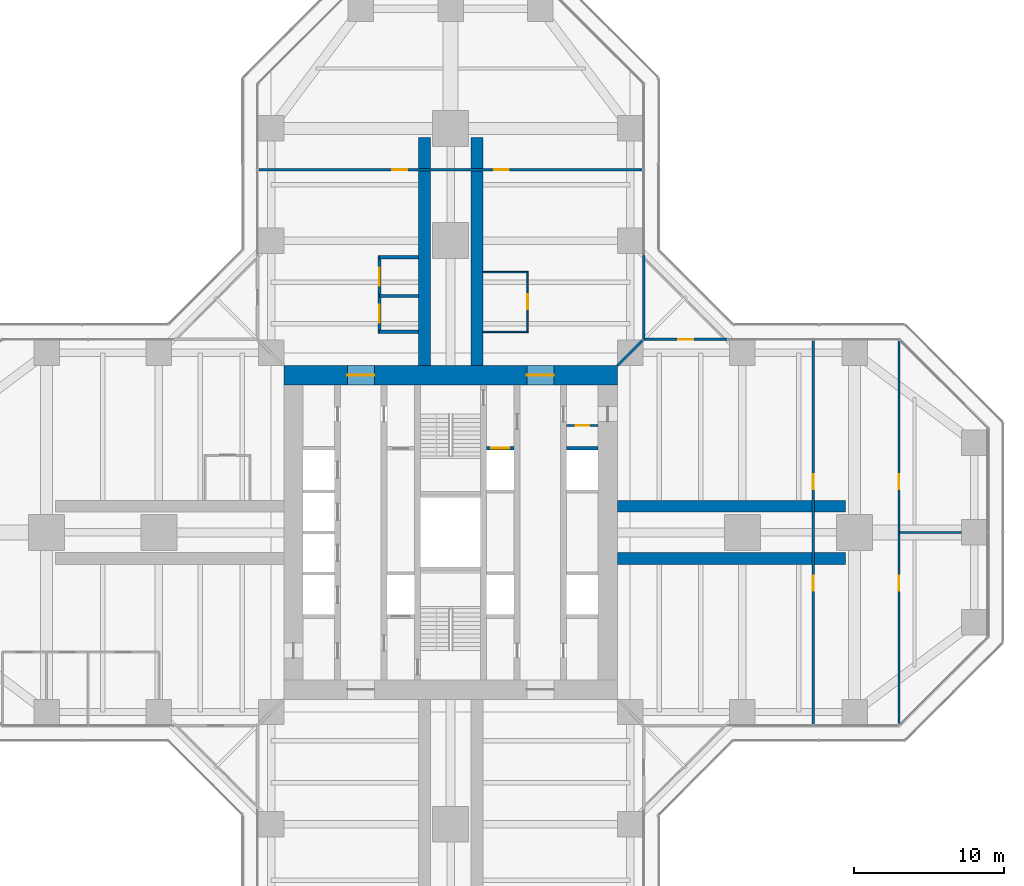
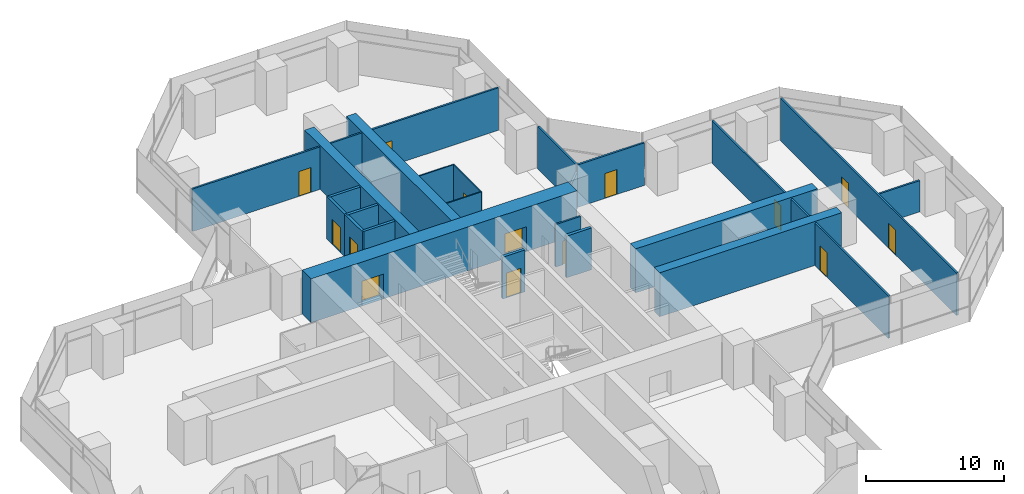
# One storey, part 19 of 22: 23 walls, 14 doors, 14 openings.
"""IFC4 building model written with IfcOpenShell, lengths in metres."""

from ifc_helpers import new_model, si_unit, direction, frame, frame_2d, origin, place, context, subcontext, project, spatial, rectangle, extrude, material, layer, layer_set, type_object, element, fill, save


model = new_model("IFC4")

# Units and contexts
model_context = context("Model", 3, precision=1e-05, world=origin(), true_north=direction((0.0, 1.0)))
body_context = subcontext(model_context, "Body", "Model", "MODEL_VIEW")
ifc_project = project(units=[si_unit("LENGTHUNIT", "METRE"), si_unit("AREAUNIT", "SQUARE_METRE"), si_unit("VOLUMEUNIT", "CUBIC_METRE"), si_unit("PLANEANGLEUNIT", "RADIAN"), si_unit("MASSUNIT", "GRAM", prefix="KILO")], contexts=[model_context])

# Site, building, storey
site_placement = place(None, origin())
site = spatial("IfcSite", under=ifc_project, at=site_placement, CompositionType="ELEMENT")
building_placement = place(site_placement, origin())
building = spatial("IfcBuilding", under=site, at=building_placement, Name="Mizan Broadcast Tower", CompositionType="ELEMENT")
storey_placement = place(building_placement, frame((0.0, 0.0, 70.800048828125)))
storey = spatial("IfcBuildingStorey", under=building, at=storey_placement, Name="L14", CompositionType="ELEMENT", Elevation=70.800048828125)

# Wall, opening, door
ifc_material_1 = material(Name="Concrete blockwork", Category="masonry")
ifc_layer_1 = layer(ifc_material_1, 0.14990234375)
ifc_layer_set_1 = layer_set([ifc_layer_1], Name="Concrete blockwork")
wall_type_1 = type_object("IfcWallType", Name="CORE PARTITION 150", PredefinedType="SOLIDWALL", material=ifc_layer_set_1)
wall_1_placement = place(storey_placement, frame((9.85009765625, 7.14990234375, 0.0), z_axis=(0.0, 0.0, 1.0), x_axis=(-1.0, 0.0, 0.0)))
wall_1 = element("IfcWall", 1, at=wall_1_placement, inside=storey, type_object=wall_type_1, Name="Core partition CORE/XPE", PredefinedType="SOLIDWALL", context=body_context, shape_type="SweptSolid", body=[
    extrude(rectangle(XDim=2.10009765625, YDim=0.14990234375, at=frame_2d((1.050048828125, 0.0))), origin(), (0.0, 0.0, 1.0), 3.77001953125),
])
opening_1_placement = place(wall_1_placement, frame((0.60009765625, 0.0, 0.0)))
opening_1 = element("IfcOpeningElement", 2, at=opening_1_placement, cuts=wall_1, Name="Opening D09F", PredefinedType="OPENING", context=body_context, shape_type="SweptSolid", body=[
    extrude(rectangle(XDim=0.89990234375, YDim=2.10009765625, at=frame_2d((0.449951171875, 1.050048828125))), frame((0.0, 0.0849609375, 0.0), z_axis=(0.0, -1.0, 0.0), x_axis=(1.0, 0.0, 0.0)), (0.0, 0.0, 1.0), 0.169921875),
])
ifc_material_2 = material(Name="Steel door leaf in steel frame", Category="steel")
door_type_1 = type_object("IfcDoorType", Name="CORE ROOM DOOR 900 FD90", OperationType="SINGLE_SWING_LEFT", PredefinedType="DOOR", material=ifc_material_2)
door_1_placement = place(opening_1_placement, origin())
door_1 = element("IfcDoor", 3, at=door_1_placement, inside=storey, type_object=door_type_1, Name="Comms cupboard door", OperationType="SINGLE_SWING_RIGHT", OverallHeight=2.10009765625, OverallWidth=0.89990234375, PredefinedType="DOOR", context=body_context, shape_type="SweptSolid", body=[
    extrude(rectangle(XDim=0.89990234375, YDim=2.10009765625, at=frame_2d((0.449951171875, 1.050048828125))), frame((0.0, 0.02490234375, 0.0), z_axis=(0.0, -1.0, 0.0), x_axis=(1.0, 0.0, 0.0)), (0.0, 0.0, 1.0), 0.050048828125),
])
fill(opening_1, door_1)

# Wall, openings, doors
ifc_material_3 = material(Name="Concrete C70/85", Category="concrete")
ifc_layer_2 = layer(ifc_material_3, 1.300048828125)
ifc_layer_set_2 = layer_set([ifc_layer_2], Name="Concrete C70/85")
wall_type_2 = type_object("IfcWallType", Name="CORE WALL 1300", PredefinedType="SHEAR", material=ifc_layer_set_2)
wall_2_placement = place(storey_placement, frame((-11.14990234375, 10.5, 0.0), z_axis=(0.0, 0.0, 1.0), x_axis=(1.0, 0.0, 0.0)))
wall_2 = element("IfcWall", 4, at=wall_2_placement, inside=storey, type_object=wall_type_2, Name="Core wall N L14", PredefinedType="SHEAR", context=body_context, shape_type="SweptSolid", body=[
    extrude(rectangle(XDim=22.2998046875, YDim=1.300048828125, at=frame_2d((11.14990234375, 0.0))), origin(), (0.0, 0.0, 1.0), 3.89990234375),
])
opening_2_placement = place(wall_2_placement, frame((4.25, 0.0, 0.0)))
opening_2 = element("IfcOpeningElement", 5, at=opening_2_placement, cuts=wall_2, Name="Opening D18F", PredefinedType="OPENING", context=body_context, shape_type="SweptSolid", body=[
    extrude(rectangle(XDim=1.800048828125, YDim=2.199951171875, at=frame_2d((0.89990234375, 1.10009765625))), frame((0.0, 0.659912109375, 0.0), z_axis=(0.0, -1.0, 0.0), x_axis=(1.0, 0.0, 0.0)), (0.0, 0.0, 1.0), 1.320068359375),
])
opening_3_placement = place(wall_2_placement, frame((16.25, 0.0, 0.0)))
opening_3 = element("IfcOpeningElement", 6, at=opening_3_placement, cuts=wall_2, Name="Opening D18F", PredefinedType="OPENING", context=body_context, shape_type="SweptSolid", body=[
    extrude(rectangle(XDim=1.800048828125, YDim=2.199951171875, at=frame_2d((0.89990234375, 1.10009765625))), frame((0.0, 0.659912109375, 0.0), z_axis=(0.0, -1.0, 0.0), x_axis=(1.0, 0.0, 0.0)), (0.0, 0.0, 1.0), 1.320068359375),
])
ifc_material_4 = material(Name="Steel door leaf in steel frame", Category="steel")
door_type_2 = type_object("IfcDoorType", Name="LOBBY DOUBLE DOOR 1800 FD90", OperationType="DOUBLE_DOOR_DOUBLE_SWING", PredefinedType="DOOR", material=ifc_material_4)
door_2_placement = place(opening_2_placement, origin())
door_2 = element("IfcDoor", 7, at=door_2_placement, inside=storey, type_object=door_type_2, Name="West lift lobby north door", OperationType="DOUBLE_DOOR_DOUBLE_SWING", OverallHeight=2.199951171875, OverallWidth=1.800048828125, PredefinedType="DOOR", context=body_context, shape_type="SweptSolid", body=[
    extrude(rectangle(XDim=1.800048828125, YDim=2.199951171875, at=frame_2d((0.89990234375, 1.10009765625))), frame((0.0, 0.02490234375, 0.0), z_axis=(0.0, -1.0, 0.0), x_axis=(1.0, 0.0, 0.0)), (0.0, 0.0, 1.0), 0.050048828125),
])
fill(opening_2, door_2)
door_3_placement = place(opening_3_placement, origin())
door_3 = element("IfcDoor", 8, at=door_3_placement, inside=storey, type_object=door_type_2, Name="East lift lobby north door", OperationType="DOUBLE_DOOR_DOUBLE_SWING", OverallHeight=2.199951171875, OverallWidth=1.800048828125, PredefinedType="DOOR", context=body_context, shape_type="SweptSolid", body=[
    extrude(rectangle(XDim=1.800048828125, YDim=2.199951171875, at=frame_2d((0.89990234375, 1.10009765625))), frame((0.0, 0.02490234375, 0.0), z_axis=(0.0, -1.0, 0.0), x_axis=(1.0, 0.0, 0.0)), (0.0, 0.0, 1.0), 0.050048828125),
])
fill(opening_3, door_3)

# Wall, opening, door
ifc_material_5 = material(Name="Aluminium framed glazed screen", Category="aluminium")
ifc_layer_3 = layer(ifc_material_5, 0.159912109375)
ifc_layer_set_3 = layer_set([ifc_layer_3], Name="Aluminium framed glazed screen")
wall_type_3 = type_object("IfcWallType", Name="GLAZED SCREEN WALL 160", PredefinedType="SOLIDWALL", material=ifc_layer_set_3)
wall_3_placement = place(storey_placement, frame((18.5, 12.89990234375, 0.0), z_axis=(0.0, 0.0, 1.0), x_axis=(-1.0, 0.0, 0.0)))
wall_3 = element("IfcWall", 9, at=wall_3_placement, inside=storey, type_object=wall_type_3, Name="Winter garden screen L14 E", PredefinedType="SOLIDWALL", context=body_context, shape_type="SweptSolid", body=[
    extrude(rectangle(XDim=5.60009765625, YDim=0.159912109375, at=frame_2d((2.800048828125, 0.0))), origin(), (0.0, 0.0, 1.0), 3.77001953125),
])
opening_4_placement = place(wall_3_placement, frame((2.300048828125, 0.0, 0.0)))
opening_4 = element("IfcOpeningElement", 10, at=opening_4_placement, cuts=wall_3, Name="Opening WGD", PredefinedType="OPENING", context=body_context, shape_type="SweptSolid", body=[
    extrude(rectangle(XDim=1.0, YDim=2.199951171875, at=frame_2d((0.5, 1.10009765625))), frame((0.0, 0.08984375, 0.0), z_axis=(0.0, -1.0, 0.0), x_axis=(1.0, 0.0, 0.0)), (0.0, 0.0, 1.0), 0.179931640625),
])
ifc_material_6 = material(Name="Aluminium framed glazed door", Category="aluminium")
door_type_3 = type_object("IfcDoorType", Name="WINTER GARDEN DOOR 1000 GLAZED", OperationType="SINGLE_SWING_LEFT", PredefinedType="DOOR", material=ifc_material_6)
door_4_placement = place(opening_4_placement, origin())
door_4 = element("IfcDoor", 11, at=door_4_placement, inside=storey, type_object=door_type_3, Name="Winter garden door L14 E", OperationType="SINGLE_SWING_RIGHT", OverallHeight=2.199951171875, OverallWidth=1.0, PredefinedType="DOOR", context=body_context, shape_type="SweptSolid", body=[
    extrude(rectangle(XDim=1.0, YDim=2.199951171875, at=frame_2d((0.5, 1.10009765625))), frame((0.0, 0.02490234375, 0.0), z_axis=(0.0, -1.0, 0.0), x_axis=(1.0, 0.0, 0.0)), (0.0, 0.0, 1.0), 0.050048828125),
])
fill(opening_4, door_4)

# Wall
wall_4_placement = place(storey_placement, frame((12.89990234375, 12.89990234375, 0.0), z_axis=(0.0, 0.0, 1.0), x_axis=(0.0, 1.0, 0.0)))
element("IfcWall", 12, at=wall_4_placement, inside=storey, type_object=wall_type_3, Name="Winter garden screen L14 N", PredefinedType="SOLIDWALL", context=body_context, shape_type="SweptSolid", body=[
    extrude(rectangle(XDim=5.60009765625, YDim=0.159912109375, at=frame_2d((2.800048828125, 0.0))), origin(), (0.0, 0.0, 1.0), 3.77001953125),
])

# Wall, opening, door
ifc_material_7 = material(Name="Concrete blockwork", Category="masonry")
ifc_layer_4 = layer(ifc_material_7, 0.25)
ifc_layer_set_4 = layer_set([ifc_layer_4], Name="Concrete blockwork")
wall_type_4 = type_object("IfcWallType", Name="LOBBY ENCLOSURE WALL 250", PredefinedType="SOLIDWALL", material=ifc_layer_set_4)
wall_5_placement = place(storey_placement, frame((2.39990234375, 5.625, 0.0), z_axis=(0.0, 0.0, 1.0), x_axis=(1.0, 0.0, 0.0)))
wall_5 = element("IfcWall", 13, at=wall_5_placement, inside=storey, type_object=wall_type_4, Name="Lobby enclosure wall CORE/BE2N", PredefinedType="SOLIDWALL", context=body_context, shape_type="SweptSolid", body=[
    extrude(rectangle(XDim=1.85009765625, YDim=0.25, at=frame_2d((0.925048828125, 0.0))), origin(), (0.0, 0.0, 1.0), 3.699951171875),
])
opening_5_placement = place(wall_5_placement, frame((0.324951171875, 0.0, 0.0)))
opening_5 = element("IfcOpeningElement", 14, at=opening_5_placement, cuts=wall_5, Name="Opening LDF", PredefinedType="OPENING", context=body_context, shape_type="SweptSolid", body=[
    extrude(rectangle(XDim=1.199951171875, YDim=2.199951171875, at=frame_2d((0.60009765625, 1.10009765625))), frame((0.0, 0.135009765625, 0.0), z_axis=(0.0, -1.0, 0.0), x_axis=(1.0, 0.0, 0.0)), (0.0, 0.0, 1.0), 0.27001953125),
])
ifc_material_8 = material(Name="Steel door leaf in steel frame", Category="steel")
door_type_4 = type_object("IfcDoorType", Name="FIREFIGHTING LIFT LANDING DOOR 1200", OperationType="SLIDING_TO_LEFT", PredefinedType="DOOR", material=ifc_material_8)
door_5_placement = place(opening_5_placement, origin())
door_5 = element("IfcDoor", 15, at=door_5_placement, inside=storey, type_object=door_type_4, Name="Landing door FF2", OperationType="SLIDING_TO_LEFT", OverallHeight=2.199951171875, OverallWidth=1.199951171875, PredefinedType="DOOR", context=body_context, shape_type="SweptSolid", body=[
    extrude(rectangle(XDim=1.199951171875, YDim=2.199951171875, at=frame_2d((0.60009765625, 1.10009765625))), frame((0.0, 0.02490234375, 0.0), z_axis=(0.0, -1.0, 0.0), x_axis=(1.0, 0.0, 0.0)), (0.0, 0.0, 1.0), 0.050048828125),
])
fill(opening_5, door_5)

# Wall
wall_6_placement = place(storey_placement, frame((7.75, 5.625, 0.0), z_axis=(0.0, 0.0, 1.0), x_axis=(1.0, 0.0, 0.0)))
element("IfcWall", 16, at=wall_6_placement, inside=storey, type_object=wall_type_4, Name="Lobby enclosure wall CORE/BE1N", PredefinedType="SOLIDWALL", context=body_context, shape_type="SweptSolid", body=[
    extrude(rectangle(XDim=2.10009765625, YDim=0.25, at=frame_2d((1.050048828125, 0.0))), origin(), (0.0, 0.0, 1.0), 3.699951171875),
])

# Wall, openings, doors
ifc_material_9 = material(Name="Gypsum board on steel studs", Category="steel")
ifc_layer_5 = layer(ifc_material_9, 0.14990234375)
ifc_layer_set_5 = layer_set([ifc_layer_5], Name="Gypsum board on steel studs")
wall_type_5 = type_object("IfcWallType", Name="PARTITION 150", PredefinedType="PARTITIONING", material=ifc_layer_set_5)
wall_7_placement = place(storey_placement, frame((24.22900390625, -12.820068359375, 0.0), z_axis=(0.0, 0.0, 1.0), x_axis=(0.0, 1.0, 0.0)))
wall_7 = element("IfcWall", 17, at=wall_7_placement, inside=storey, type_object=wall_type_5, Name="Partition PT/EX1", PredefinedType="PARTITIONING", context=body_context, shape_type="SweptSolid", body=[
    extrude(rectangle(XDim=25.64013671875, YDim=0.14990234375, at=frame_2d((12.820068359375, 0.0))), origin(), (0.0, 0.0, 1.0), 3.77001953125),
])
opening_6_placement = place(wall_7_placement, frame((15.719970703125, 0.0, 0.0)))
opening_6 = element("IfcOpeningElement", 18, at=opening_6_placement, cuts=wall_7, Name="Opening D10", PredefinedType="OPENING", context=body_context, shape_type="SweptSolid", body=[
    extrude(rectangle(XDim=1.0, YDim=2.199951171875, at=frame_2d((0.5, 1.10009765625))), frame((0.0, 0.0849609375, 0.0), z_axis=(0.0, -1.0, 0.0), x_axis=(1.0, 0.0, 0.0)), (0.0, 0.0, 1.0), 0.169921875),
])
opening_7_placement = place(wall_7_placement, frame((8.919921875, 0.0, 0.0)))
opening_7 = element("IfcOpeningElement", 19, at=opening_7_placement, cuts=wall_7, Name="Opening D10", PredefinedType="OPENING", context=body_context, shape_type="SweptSolid", body=[
    extrude(rectangle(XDim=1.0, YDim=2.199951171875, at=frame_2d((0.5, 1.10009765625))), frame((0.0, 0.0849609375, 0.0), z_axis=(0.0, -1.0, 0.0), x_axis=(1.0, 0.0, 0.0)), (0.0, 0.0, 1.0), 0.169921875),
])
ifc_material_10 = material(Name="Timber door leaf in aluminium frame", Category="wood")
door_type_5 = type_object("IfcDoorType", Name="ROOM DOOR 1000", OperationType="SINGLE_SWING_LEFT", PredefinedType="DOOR", material=ifc_material_10)
door_6_placement = place(opening_6_placement, origin())
door_6 = element("IfcDoor", 20, at=door_6_placement, inside=storey, type_object=door_type_5, Name="Open office door", OperationType="SINGLE_SWING_RIGHT", OverallHeight=2.199951171875, OverallWidth=1.0, PredefinedType="DOOR", context=body_context, shape_type="SweptSolid", body=[
    extrude(rectangle(XDim=1.0, YDim=2.199951171875, at=frame_2d((0.5, 1.10009765625))), frame((0.0, 0.02490234375, 0.0), z_axis=(0.0, -1.0, 0.0), x_axis=(1.0, 0.0, 0.0)), (0.0, 0.0, 1.0), 0.050048828125),
])
fill(opening_6, door_6)
door_7_placement = place(opening_7_placement, origin())
door_7 = element("IfcDoor", 21, at=door_7_placement, inside=storey, type_object=door_type_5, Name="Open office door", OperationType="SINGLE_SWING_LEFT", OverallHeight=2.199951171875, OverallWidth=1.0, PredefinedType="DOOR", context=body_context, shape_type="SweptSolid", body=[
    extrude(rectangle(XDim=1.0, YDim=2.199951171875, at=frame_2d((0.5, 1.10009765625))), frame((0.0, 0.02490234375, 0.0), z_axis=(0.0, -1.0, 0.0), x_axis=(1.0, 0.0, 0.0)), (0.0, 0.0, 1.0), 0.050048828125),
])
fill(opening_7, door_7)

wall_8_placement = place(storey_placement, frame((29.958984375, -12.786376953125, 0.0), z_axis=(0.0, 0.0, 1.0), x_axis=(0.0, 1.0, 0.0)))
wall_8 = element("IfcWall", 22, at=wall_8_placement, inside=storey, type_object=wall_type_5, Name="Partition PT/EX2", PredefinedType="PARTITIONING", context=body_context, shape_type="SweptSolid", body=[
    extrude(rectangle(XDim=25.57275390625, YDim=0.14990234375, at=frame_2d((12.786376953125, 0.0))), origin(), (0.0, 0.0, 1.0), 3.77001953125),
])
opening_8_placement = place(wall_8_placement, frame((15.6865234375, 0.0, 0.0)))
opening_8 = element("IfcOpeningElement", 23, at=opening_8_placement, cuts=wall_8, Name="Opening D10", PredefinedType="OPENING", context=body_context, shape_type="SweptSolid", body=[
    extrude(rectangle(XDim=1.0, YDim=2.199951171875, at=frame_2d((0.5, 1.10009765625))), frame((0.0, 0.0849609375, 0.0), z_axis=(0.0, -1.0, 0.0), x_axis=(1.0, 0.0, 0.0)), (0.0, 0.0, 1.0), 0.169921875),
])
opening_9_placement = place(wall_8_placement, frame((8.886474609375, 0.0, 0.0)))
opening_9 = element("IfcOpeningElement", 24, at=opening_9_placement, cuts=wall_8, Name="Opening D10", PredefinedType="OPENING", context=body_context, shape_type="SweptSolid", body=[
    extrude(rectangle(XDim=1.0, YDim=2.199951171875, at=frame_2d((0.5, 1.10009765625))), frame((0.0, 0.0849609375, 0.0), z_axis=(0.0, -1.0, 0.0), x_axis=(1.0, 0.0, 0.0)), (0.0, 0.0, 1.0), 0.169921875),
])
door_8_placement = place(opening_8_placement, origin())
door_8 = element("IfcDoor", 25, at=door_8_placement, inside=storey, type_object=door_type_5, Name="Open office door", OperationType="SINGLE_SWING_RIGHT", OverallHeight=2.199951171875, OverallWidth=1.0, PredefinedType="DOOR", context=body_context, shape_type="SweptSolid", body=[
    extrude(rectangle(XDim=1.0, YDim=2.199951171875, at=frame_2d((0.5, 1.10009765625))), frame((0.0, 0.02490234375, 0.0), z_axis=(0.0, -1.0, 0.0), x_axis=(1.0, 0.0, 0.0)), (0.0, 0.0, 1.0), 0.050048828125),
])
fill(opening_8, door_8)
door_9_placement = place(opening_9_placement, origin())
door_9 = element("IfcDoor", 26, at=door_9_placement, inside=storey, type_object=door_type_5, Name="Open office door", OperationType="SINGLE_SWING_LEFT", OverallHeight=2.199951171875, OverallWidth=1.0, PredefinedType="DOOR", context=body_context, shape_type="SweptSolid", body=[
    extrude(rectangle(XDim=1.0, YDim=2.199951171875, at=frame_2d((0.5, 1.10009765625))), frame((0.0, 0.02490234375, 0.0), z_axis=(0.0, -1.0, 0.0), x_axis=(1.0, 0.0, 0.0)), (0.0, 0.0, 1.0), 0.050048828125),
])
fill(opening_9, door_9)

# Wall
wall_9_placement = place(storey_placement, frame((29.958984375, 0.0, 0.0), z_axis=(0.0, 0.0, 1.0), x_axis=(1.0, 0.0, 0.0)))
element("IfcWall", 27, at=wall_9_placement, inside=storey, type_object=wall_type_5, Name="Partition PT/EES", PredefinedType="PARTITIONING", context=body_context, shape_type="SweptSolid", body=[
    extrude(rectangle(XDim=4.19091796875, YDim=0.14990234375, at=frame_2d((2.095458984375, 0.0))), origin(), (0.0, 0.0, 1.0), 2.77001953125),
])

# Wall, openings, doors
wall_10_placement = place(storey_placement, frame((12.820068359375, 24.22900390625, 0.0), z_axis=(0.0, 0.0, 1.0), x_axis=(-1.0, 0.0, 0.0)))
wall_10 = element("IfcWall", 28, at=wall_10_placement, inside=storey, type_object=wall_type_5, Name="Partition PT/NX1", PredefinedType="PARTITIONING", context=body_context, shape_type="SweptSolid", body=[
    extrude(rectangle(XDim=25.64013671875, YDim=0.14990234375, at=frame_2d((12.820068359375, 0.0))), origin(), (0.0, 0.0, 1.0), 3.77001953125),
])
opening_10_placement = place(wall_10_placement, frame((15.719970703125, 0.0, 0.0)))
opening_10 = element("IfcOpeningElement", 29, at=opening_10_placement, cuts=wall_10, Name="Opening D10", PredefinedType="OPENING", context=body_context, shape_type="SweptSolid", body=[
    extrude(rectangle(XDim=1.0, YDim=2.199951171875, at=frame_2d((0.5, 1.10009765625))), frame((0.0, 0.0849609375, 0.0), z_axis=(0.0, -1.0, 0.0), x_axis=(1.0, 0.0, 0.0)), (0.0, 0.0, 1.0), 0.169921875),
])
opening_11_placement = place(wall_10_placement, frame((8.919921875, 0.0, 0.0)))
opening_11 = element("IfcOpeningElement", 30, at=opening_11_placement, cuts=wall_10, Name="Opening D10", PredefinedType="OPENING", context=body_context, shape_type="SweptSolid", body=[
    extrude(rectangle(XDim=1.0, YDim=2.199951171875, at=frame_2d((0.5, 1.10009765625))), frame((0.0, 0.0849609375, 0.0), z_axis=(0.0, -1.0, 0.0), x_axis=(1.0, 0.0, 0.0)), (0.0, 0.0, 1.0), 0.169921875),
])
door_10_placement = place(opening_10_placement, origin())
door_10 = element("IfcDoor", 31, at=door_10_placement, inside=storey, type_object=door_type_5, Name="Collaboration area door", OperationType="SINGLE_SWING_RIGHT", OverallHeight=2.199951171875, OverallWidth=1.0, PredefinedType="DOOR", context=body_context, shape_type="SweptSolid", body=[
    extrude(rectangle(XDim=1.0, YDim=2.199951171875, at=frame_2d((0.5, 1.10009765625))), frame((0.0, 0.02490234375, 0.0), z_axis=(0.0, -1.0, 0.0), x_axis=(1.0, 0.0, 0.0)), (0.0, 0.0, 1.0), 0.050048828125),
])
fill(opening_10, door_10)
door_11_placement = place(opening_11_placement, origin())
door_11 = element("IfcDoor", 32, at=door_11_placement, inside=storey, type_object=door_type_5, Name="Collaboration area door", OperationType="SINGLE_SWING_LEFT", OverallHeight=2.199951171875, OverallWidth=1.0, PredefinedType="DOOR", context=body_context, shape_type="SweptSolid", body=[
    extrude(rectangle(XDim=1.0, YDim=2.199951171875, at=frame_2d((0.5, 1.10009765625))), frame((0.0, 0.02490234375, 0.0), z_axis=(0.0, -1.0, 0.0), x_axis=(1.0, 0.0, 0.0)), (0.0, 0.0, 1.0), 0.050048828125),
])
fill(opening_11, door_11)

# Walls
wall_11_placement = place(storey_placement, frame((11.14990234375, 11.14990234375, 0.0), z_axis=(0.0, 0.0, 1.0), x_axis=(0.707106781187, 0.707106781187, 0.0)))
element("IfcWall", 33, at=wall_11_placement, inside=storey, type_object=wall_type_5, Name="Partition PT/DGEN", PredefinedType="PARTITIONING", context=body_context, shape_type="SweptSolid", body=[
    extrude(rectangle(XDim=2.362060546875, YDim=0.14990234375, at=frame_2d((1.18115234375, 0.0))), origin(), (0.0, 0.0, 1.0), 3.219970703125),
])
ifc_material_11 = material(Name="Twin steel stud acoustic partition, four layers of gypsum board", Category="steel")
ifc_layer_6 = layer(ifc_material_11, 0.22509765625)
ifc_layer_set_6 = layer_set([ifc_layer_6], Name="Twin steel stud acoustic partition, four layers of gypsum board")
wall_type_6 = type_object("IfcWallType", Name="PARTITION ACOUSTIC 225", PredefinedType="PARTITIONING", material=ifc_layer_set_6)
for number, where, z_axis, x_axis, name in (
    (34, (-2.14990234375, 13.39990234375, 0.0), (0.0, 0.0, 1.0), (-1.0, 0.0, 0.0), "Acoustic partition PT/NKP0a"),
    (35, (-2.14990234375, 15.800048828125, 0.0), (0.0, 0.0, 1.0), (-1.0, 0.0, 0.0), "Acoustic partition PT/NKP0b"),
):
    element("IfcWall", number, at=place(storey_placement, frame(where, z_axis=z_axis, x_axis=x_axis)), inside=storey, type_object=wall_type_6, Name=name, PredefinedType="PARTITIONING", context=body_context, shape_type="SweptSolid", body=[
        extrude(rectangle(XDim=2.60009765625, YDim=0.22509765625, at=frame_2d((1.300048828125, 0.0))), origin(), (0.0, 0.0, 1.0), 3.77001953125),
    ])

# Wall, opening, door
wall_12_placement = place(storey_placement, frame((-4.75, 13.28759765625, 0.0), z_axis=(0.0, 0.0, 1.0), x_axis=(0.0, 1.0, 0.0)))
wall_12 = element("IfcWall", 36, at=wall_12_placement, inside=storey, type_object=wall_type_6, Name="Acoustic partition PT/NKP0f", PredefinedType="PARTITIONING", context=body_context, shape_type="SweptSolid", body=[
    extrude(rectangle(XDim=2.625, YDim=0.22509765625, at=frame_2d((1.3125, 0.0))), origin(), (0.0, 0.0, 1.0), 3.77001953125),
])
opening_12_placement = place(wall_12_placement, frame((0.71240234375, 0.0, 0.0)))
opening_12 = element("IfcOpeningElement", 37, at=opening_12_placement, cuts=wall_12, Name="Opening D12A", PredefinedType="OPENING", context=body_context, shape_type="SweptSolid", body=[
    extrude(rectangle(XDim=1.199951171875, YDim=2.199951171875, at=frame_2d((0.60009765625, 1.10009765625))), frame((0.0, 0.12255859375, 0.0), z_axis=(0.0, -1.0, 0.0), x_axis=(1.0, 0.0, 0.0)), (0.0, 0.0, 1.0), 0.2451171875),
])
ifc_material_12 = material(Name="Timber door leaf in aluminium frame", Category="wood")
door_type_6 = type_object("IfcDoorType", Name="ACOUSTIC DOOR 1200", OperationType="SINGLE_SWING_LEFT", PredefinedType="DOOR", material=ifc_material_12)
door_12_placement = place(opening_12_placement, origin())
door_12 = element("IfcDoor", 38, at=door_12_placement, inside=storey, type_object=door_type_6, Name="Podcast booth door", OperationType="SINGLE_SWING_LEFT", OverallHeight=2.199951171875, OverallWidth=1.199951171875, PredefinedType="DOOR", context=body_context, shape_type="SweptSolid", body=[
    extrude(rectangle(XDim=1.199951171875, YDim=2.199951171875, at=frame_2d((0.60009765625, 1.10009765625))), frame((0.0, 0.02490234375, 0.0), z_axis=(0.0, -1.0, 0.0), x_axis=(1.0, 0.0, 0.0)), (0.0, 0.0, 1.0), 0.050048828125),
])
fill(opening_12, door_12)

# Wall
wall_13_placement = place(storey_placement, frame((-2.14990234375, 18.39990234375, 0.0), z_axis=(0.0, 0.0, 1.0), x_axis=(-1.0, 0.0, 0.0)))
element("IfcWall", 39, at=wall_13_placement, inside=storey, type_object=wall_type_6, Name="Acoustic partition PT/NKP1b", PredefinedType="PARTITIONING", context=body_context, shape_type="SweptSolid", body=[
    extrude(rectangle(XDim=2.60009765625, YDim=0.22509765625, at=frame_2d((1.300048828125, 0.0))), origin(), (0.0, 0.0, 1.0), 3.77001953125),
])

# Wall, opening, door
wall_14_placement = place(storey_placement, frame((-4.75, 15.91259765625, 0.0), z_axis=(0.0, 0.0, 1.0), x_axis=(0.0, 1.0, 0.0)))
wall_14 = element("IfcWall", 40, at=wall_14_placement, inside=storey, type_object=wall_type_6, Name="Acoustic partition PT/NKP1f", PredefinedType="PARTITIONING", context=body_context, shape_type="SweptSolid", body=[
    extrude(rectangle(XDim=2.599853515625, YDim=0.22509765625, at=frame_2d((1.2998046875, 0.0))), origin(), (0.0, 0.0, 1.0), 3.77001953125),
])
opening_13_placement = place(wall_14_placement, frame((0.58740234375, 0.0, 0.0)))
opening_13 = element("IfcOpeningElement", 41, at=opening_13_placement, cuts=wall_14, Name="Opening D12A", PredefinedType="OPENING", context=body_context, shape_type="SweptSolid", body=[
    extrude(rectangle(XDim=1.199951171875, YDim=2.199951171875, at=frame_2d((0.60009765625, 1.10009765625))), frame((0.0, 0.12255859375, 0.0), z_axis=(0.0, -1.0, 0.0), x_axis=(1.0, 0.0, 0.0)), (0.0, 0.0, 1.0), 0.2451171875),
])
door_13_placement = place(opening_13_placement, origin())
door_13 = element("IfcDoor", 42, at=door_13_placement, inside=storey, type_object=door_type_6, Name="Podcast booth door", OperationType="SINGLE_SWING_LEFT", OverallHeight=2.199951171875, OverallWidth=1.199951171875, PredefinedType="DOOR", context=body_context, shape_type="SweptSolid", body=[
    extrude(rectangle(XDim=1.199951171875, YDim=2.199951171875, at=frame_2d((0.60009765625, 1.10009765625))), frame((0.0, 0.02490234375, 0.0), z_axis=(0.0, -1.0, 0.0), x_axis=(1.0, 0.0, 0.0)), (0.0, 0.0, 1.0), 0.050048828125),
])
fill(opening_13, door_13)

# Walls
ifc_material_13 = material(Name="Glazed aluminium partition on aluminium track", Category="aluminium")
ifc_layer_7 = layer(ifc_material_13, 0.10009765625)
ifc_layer_set_7 = layer_set([ifc_layer_7], Name="Glazed aluminium partition on aluminium track")
wall_type_7 = type_object("IfcWallType", Name="PARTITION GLAZED OFFICE FRONT 100", PredefinedType="PARTITIONING", material=ifc_layer_set_7)
for number, where, z_axis, x_axis, name in (
    (43, (2.14990234375, 13.39990234375, 0.0), (0.0, 0.0, 1.0), (1.0, 0.0, 0.0), "Glazed office front PT/NKN0a"),
    (44, (2.14990234375, 17.39990234375, 0.0), (0.0, 0.0, 1.0), (1.0, 0.0, 0.0), "Glazed office front PT/NKN0b"),
):
    element("IfcWall", number, at=place(storey_placement, frame(where, z_axis=z_axis, x_axis=x_axis)), inside=storey, type_object=wall_type_7, Name=name, PredefinedType="PARTITIONING", context=body_context, shape_type="SweptSolid", body=[
        extrude(rectangle(XDim=3.0, YDim=0.10009765625, at=frame_2d((1.5, 0.0))), origin(), (0.0, 0.0, 1.0), 3.77001953125),
    ])

# Wall, opening, door
wall_15_placement = place(storey_placement, frame((5.14990234375, 13.35009765625, 0.0), z_axis=(0.0, 0.0, 1.0), x_axis=(0.0, 1.0, 0.0)))
wall_15 = element("IfcWall", 45, at=wall_15_placement, inside=storey, type_object=wall_type_7, Name="Glazed office front PT/NKN0f", PredefinedType="PARTITIONING", context=body_context, shape_type="SweptSolid", body=[
    extrude(rectangle(XDim=4.099853515625, YDim=0.10009765625, at=frame_2d((2.0498046875, 0.0))), origin(), (0.0, 0.0, 1.0), 3.77001953125),
])
opening_14_placement = place(wall_15_placement, frame((1.550048828125, 0.0, 0.0)))
opening_14 = element("IfcOpeningElement", 46, at=opening_14_placement, cuts=wall_15, Name="Opening D10O", PredefinedType="OPENING", context=body_context, shape_type="SweptSolid", body=[
    extrude(rectangle(XDim=1.0, YDim=2.199951171875, at=frame_2d((0.5, 1.10009765625))), frame((0.0, 0.06005859375, 0.0), z_axis=(0.0, -1.0, 0.0), x_axis=(1.0, 0.0, 0.0)), (0.0, 0.0, 1.0), 0.1201171875),
])
ifc_material_14 = material(Name="Timber door leaf in aluminium frame", Category="wood")
door_type_7 = type_object("IfcDoorType", Name="OFFICE DOOR 1000 GLAZED", OperationType="SINGLE_SWING_LEFT", PredefinedType="DOOR", material=ifc_material_14)
door_14_placement = place(opening_14_placement, origin())
door_14 = element("IfcDoor", 47, at=door_14_placement, inside=storey, type_object=door_type_7, Name="Social media hub door", OperationType="SINGLE_SWING_LEFT", OverallHeight=2.199951171875, OverallWidth=1.0, PredefinedType="DOOR", context=body_context, shape_type="SweptSolid", body=[
    extrude(rectangle(XDim=1.0, YDim=2.199951171875, at=frame_2d((0.5, 1.10009765625))), frame((0.0, 0.02490234375, 0.0), z_axis=(0.0, -1.0, 0.0), x_axis=(1.0, 0.0, 0.0)), (0.0, 0.0, 1.0), 0.050048828125),
])
fill(opening_14, door_14)

# Walls
ifc_material_15 = material(Name="Concrete C70/85", Category="concrete")
ifc_layer_8 = layer(ifc_material_15, 0.800048828125)
ifc_layer_set_8 = layer_set([ifc_layer_8], Name="Concrete C70/85")
wall_type_8 = type_object("IfcWallType", Name="SPINE WALL 800", PredefinedType="SHEAR", material=ifc_layer_set_8)
for number, where, z_axis, x_axis, name in (
    (48, (11.14990234375, -1.75, 0.0), (0.0, 0.0, 1.0), (1.0, 0.0, 0.0), "Spine wall ER L14"),
    (49, (11.14990234375, 1.75, 0.0), (0.0, 0.0, 1.0), (1.0, 0.0, 0.0), "Spine wall EL L14"),
    (50, (1.75, 11.14990234375, 0.0), (0.0, 0.0, 1.0), (0.0, 1.0, 0.0), "Spine wall NR L14"),
    (51, (-1.75, 11.14990234375, 0.0), (0.0, 0.0, 1.0), (0.0, 1.0, 0.0), "Spine wall NL L14"),
):
    element("IfcWall", number, at=place(storey_placement, frame(where, z_axis=z_axis, x_axis=x_axis)), inside=storey, type_object=wall_type_8, Name=name, PredefinedType="SHEAR", context=body_context, shape_type="SweptSolid", body=[
        extrude(rectangle(XDim=15.25, YDim=0.800048828125, at=frame_2d((7.625, 0.0))), origin(), (0.0, 0.0, 1.0), 3.89990234375),
    ])

save(model, "model.ifc")
